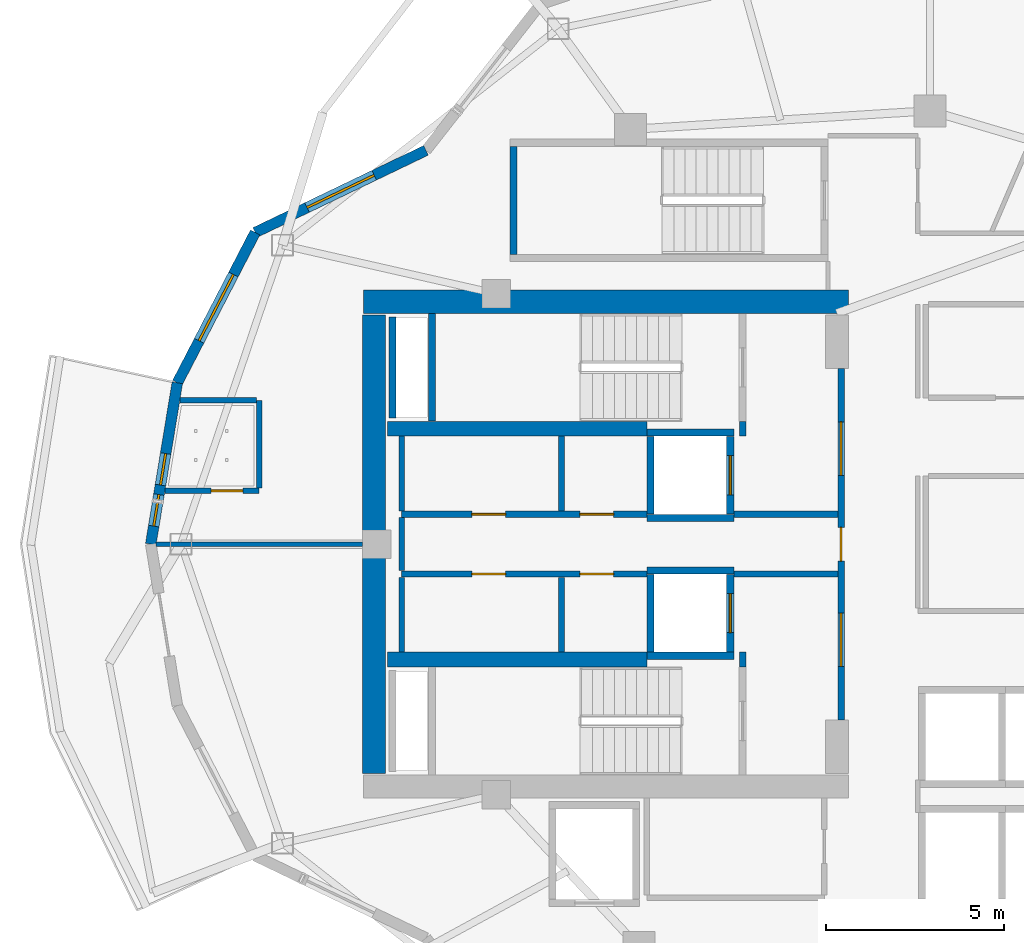
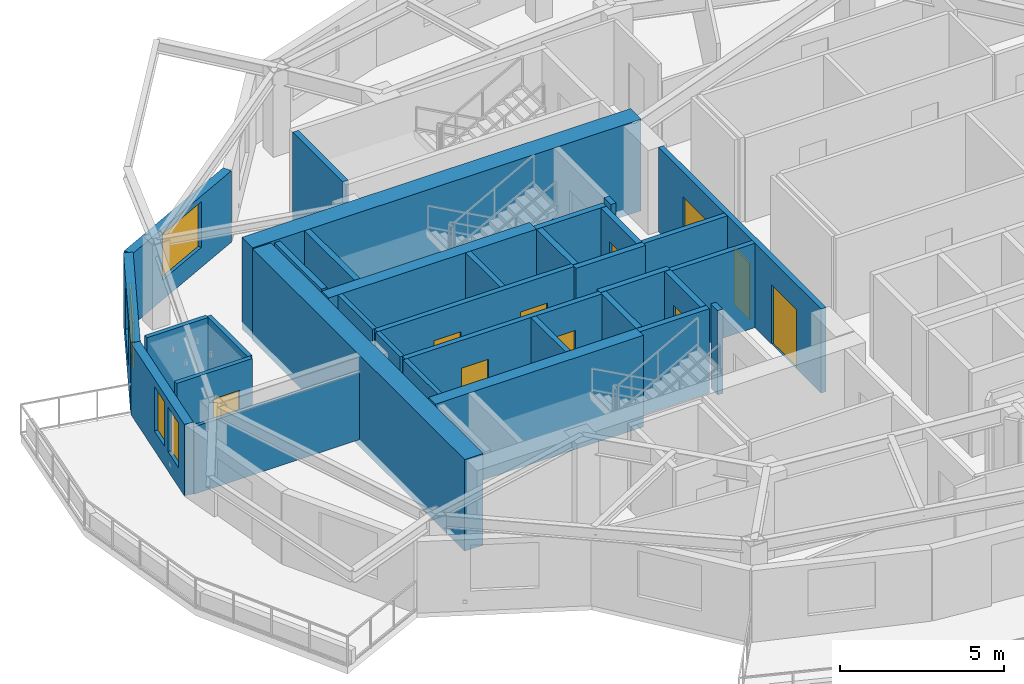
# One storey, part 4 of 13: 34 walls, 10 doors, 4 windows, 14 openings.
"""IFC4 building model written with IfcOpenShell, lengths in metres."""

from ifc_helpers import new_model, si_unit, direction, frame, frame_2d, origin, place, context, subcontext, project, spatial, rectangle, extrude, material, layer, layer_set, type_object, element, fill, save


model = new_model("IFC4")

# Units and contexts
model_context = context("Model", 3, precision=1e-05, world=origin(), true_north=direction((0.0, 1.0)))
body_context = subcontext(model_context, "Body", "Model", "MODEL_VIEW")
ifc_project = project(units=[si_unit("LENGTHUNIT", "METRE"), si_unit("AREAUNIT", "SQUARE_METRE"), si_unit("VOLUMEUNIT", "CUBIC_METRE"), si_unit("PLANEANGLEUNIT", "RADIAN"), si_unit("MASSUNIT", "GRAM", prefix="KILO")], contexts=[model_context])

# Site, building, storey
site_placement = place(None, origin())
site = spatial("IfcSite", under=ifc_project, at=site_placement, CompositionType="ELEMENT")
building_placement = place(site_placement, origin())
building = spatial("IfcBuilding", under=site, at=building_placement, Name="Kolvaren Gate Tower and Convention Centre", CompositionType="ELEMENT")
storey_placement = place(building_placement, frame((0.0, 0.0, 166.5)))
storey = spatial("IfcBuildingStorey", under=building, at=storey_placement, Name="L43", CompositionType="ELEMENT", Elevation=166.5)

# Walls
ifc_material_1 = material(Name="Autoclaved Aerated Masonry Blockwork Class 4 (4.0 MPa)", Category="masonry")
ifc_layer_1 = layer(ifc_material_1, 0.179931640625)
ifc_layer_set_1 = layer_set([ifc_layer_1], Name="Autoclaved Aerated Masonry Blockwork Class 4 (4.0 MPa)")
wall_type_1 = type_object("IfcWallType", Name="ARCH-WL-COMP-180", PredefinedType="SOLIDWALL", material=ifc_layer_set_1)
for number, where, z_axis, x_axis, name in (
    (1, (24.85009765625, 23.5400390625, 0.0), (0.0, 0.0, 1.0), (0.0, 1.0, 0.0), "Interior Partition WL-L43-INT-001"),
    (2, (24.85009765625, 30.0400390625, 0.0), (0.0, 0.0, 1.0), (0.0, 1.0, 0.0), "Interior Partition WL-L43-INT-002"),
):
    element("IfcWall", number, at=place(storey_placement, frame(where, z_axis=z_axis, x_axis=x_axis)), inside=storey, type_object=wall_type_1, Name=name, PredefinedType="SOLIDWALL", context=body_context, shape_type="SweptSolid", body=[
        extrude(rectangle(XDim=0.419921875, YDim=0.179931640625, at=frame_2d((0.2099609375, 0.0))), origin(), (0.0, 0.0, 1.0), 3.1298828125),
    ])

# Wall, openings, doors
wall_1_placement = place(storey_placement, frame((27.6201171875, 22.050048828125, 0.0), z_axis=(0.0, 0.0, 1.0), x_axis=(0.0, 1.0, 0.0)))
wall_1 = element("IfcWall", 3, at=wall_1_placement, inside=storey, type_object=wall_type_1, Name="Interior Partition WL-L43-INT-003", PredefinedType="SOLIDWALL", context=body_context, shape_type="SweptSolid", body=[
    extrude(rectangle(XDim=9.89990234375, YDim=0.179931640625, at=frame_2d((4.949951171875, 0.0))), origin(), (0.0, 0.0, 1.0), 3.1298828125),
])
opening_1_placement = place(wall_1_placement, frame((4.47509765625, 0.0, 0.0)))
opening_1 = element("IfcOpeningElement", 4, at=opening_1_placement, cuts=wall_1, Name="Opening DR-01", PredefinedType="OPENING", context=body_context, shape_type="SweptSolid", body=[
    extrude(rectangle(XDim=0.949951171875, YDim=2.10009765625, at=frame_2d((0.47509765625, 1.050048828125))), frame((0.0, 0.099853515625, 0.0), z_axis=(0.0, -1.0, 0.0), x_axis=(1.0, 0.0, 0.0)), (0.0, 0.0, 1.0), 0.199951171875),
])
opening_2_placement = place(wall_1_placement, frame((6.889892578125, 0.0, 0.0)))
opening_2 = element("IfcOpeningElement", 5, at=opening_2_placement, cuts=wall_1, Name="Opening DL-01", PredefinedType="OPENING", context=body_context, shape_type="SweptSolid", body=[
    extrude(rectangle(XDim=1.5, YDim=2.199951171875, at=frame_2d((0.75, 1.10009765625))), frame((0.0, 0.099853515625, 0.0), z_axis=(0.0, -1.0, 0.0), x_axis=(1.0, 0.0, 0.0)), (0.0, 0.0, 1.0), 0.199951171875),
])
opening_3_placement = place(wall_1_placement, frame((1.510009765625, 0.0, 0.0)))
opening_3 = element("IfcOpeningElement", 6, at=opening_3_placement, cuts=wall_1, Name="Opening DL-01", PredefinedType="OPENING", context=body_context, shape_type="SweptSolid", body=[
    extrude(rectangle(XDim=1.5, YDim=2.199951171875, at=frame_2d((0.75, 1.10009765625))), frame((0.0, 0.099853515625, 0.0), z_axis=(0.0, -1.0, 0.0), x_axis=(1.0, 0.0, 0.0)), (0.0, 0.0, 1.0), 0.199951171875),
])
ifc_material_2 = material(Name="Painted Architectural Steelwork ASTM A500 Grade C 345 MPa", Category="steel")
door_type_1 = type_object("IfcDoorType", Name="ARCH-DR-LOBBY-1500", OperationType="DOUBLE_DOOR_SINGLE_SWING", PredefinedType="DOOR", material=ifc_material_2)
door_1_placement = place(opening_2_placement, origin())
door_1 = element("IfcDoor", 7, at=door_1_placement, inside=storey, type_object=door_type_1, Name="North Firefighting Stair and Lift Lobby Door", OperationType="DOUBLE_DOOR_SINGLE_SWING", OverallHeight=2.199951171875, OverallWidth=1.5, PredefinedType="DOOR", context=body_context, shape_type="SweptSolid", body=[
    extrude(rectangle(XDim=1.5, YDim=2.199951171875, at=frame_2d((0.75, 1.10009765625))), frame((0.0, 0.02490234375, 0.0), z_axis=(0.0, -1.0, 0.0), x_axis=(1.0, 0.0, 0.0)), (0.0, 0.0, 1.0), 0.050048828125),
])
fill(opening_2, door_1)
door_2_placement = place(opening_3_placement, origin())
door_2 = element("IfcDoor", 8, at=door_2_placement, inside=storey, type_object=door_type_1, Name="South Firefighting Stair and Lift Lobby Door", OperationType="DOUBLE_DOOR_SINGLE_SWING", OverallHeight=2.199951171875, OverallWidth=1.5, PredefinedType="DOOR", context=body_context, shape_type="SweptSolid", body=[
    extrude(rectangle(XDim=1.5, YDim=2.199951171875, at=frame_2d((0.75, 1.10009765625))), frame((0.0, 0.02490234375, 0.0), z_axis=(0.0, -1.0, 0.0), x_axis=(1.0, 0.0, 0.0)), (0.0, 0.0, 1.0), 0.050048828125),
])
fill(opening_3, door_2)
door_type_2 = type_object("IfcDoorType", Name="ARCH-DR-RISER-950", OperationType="SINGLE_SWING_RIGHT", PredefinedType="DOOR", material=ifc_material_2)
door_3_placement = place(opening_1_placement, origin())
door_3 = element("IfcDoor", 9, at=door_3_placement, inside=storey, type_object=door_type_2, Name="Central MEP Service Corridor Door", OperationType="SINGLE_SWING_RIGHT", OverallHeight=2.10009765625, OverallWidth=0.949951171875, PredefinedType="DOOR", context=body_context, shape_type="SweptSolid", body=[
    extrude(rectangle(XDim=0.949951171875, YDim=2.10009765625, at=frame_2d((0.47509765625, 1.050048828125))), frame((0.0, 0.02490234375, 0.0), z_axis=(0.0, -1.0, 0.0), x_axis=(1.0, 0.0, 0.0)), (0.0, 0.0, 1.0), 0.050048828125),
])
fill(opening_1, door_3)

wall_2_placement = place(storey_placement, frame((15.25, 27.840087890625, 0.0), z_axis=(0.0, 0.0, 1.0), x_axis=(1.0, 0.0, 0.0)))
wall_2 = element("IfcWall", 10, at=wall_2_placement, inside=storey, type_object=wall_type_1, Name="Interior Partition WL-L43-INT-004", PredefinedType="SOLIDWALL", context=body_context, shape_type="SweptSolid", body=[
    extrude(rectangle(XDim=6.89990234375, YDim=0.179931640625, at=frame_2d((3.449951171875, 0.0))), origin(), (0.0, 0.0, 1.0), 3.1298828125),
])
opening_4_placement = place(wall_2_placement, frame((5.02001953125, 0.0, 0.0)))
opening_4 = element("IfcOpeningElement", 11, at=opening_4_placement, cuts=wall_2, Name="Opening DR-01", PredefinedType="OPENING", context=body_context, shape_type="SweptSolid", body=[
    extrude(rectangle(XDim=0.949951171875, YDim=2.10009765625, at=frame_2d((0.47509765625, 1.050048828125))), frame((0.0, 0.099853515625, 0.0), z_axis=(0.0, -1.0, 0.0), x_axis=(1.0, 0.0, 0.0)), (0.0, 0.0, 1.0), 0.199951171875),
])
opening_5_placement = place(wall_2_placement, frame((1.97998046875, 0.0, 0.0)))
opening_5 = element("IfcOpeningElement", 12, at=opening_5_placement, cuts=wall_2, Name="Opening DR-01", PredefinedType="OPENING", context=body_context, shape_type="SweptSolid", body=[
    extrude(rectangle(XDim=0.949951171875, YDim=2.10009765625, at=frame_2d((0.47509765625, 1.050048828125))), frame((0.0, 0.099853515625, 0.0), z_axis=(0.0, -1.0, 0.0), x_axis=(1.0, 0.0, 0.0)), (0.0, 0.0, 1.0), 0.199951171875),
])
door_4_placement = place(opening_4_placement, origin())
door_4 = element("IfcDoor", 13, at=door_4_placement, inside=storey, type_object=door_type_2, Name="Electrical Switchgear Closet Door", OperationType="SINGLE_SWING_LEFT", OverallHeight=2.10009765625, OverallWidth=0.949951171875, PredefinedType="DOOR", context=body_context, shape_type="SweptSolid", body=[
    extrude(rectangle(XDim=0.949951171875, YDim=2.10009765625, at=frame_2d((0.47509765625, 1.050048828125))), frame((0.0, 0.02490234375, 0.0), z_axis=(0.0, -1.0, 0.0), x_axis=(1.0, 0.0, 0.0)), (0.0, 0.0, 1.0), 0.050048828125),
])
fill(opening_4, door_4)
door_5_placement = place(opening_5_placement, origin())
door_5 = element("IfcDoor", 14, at=door_5_placement, inside=storey, type_object=door_type_2, Name="Staff Powder Washroom Door", OperationType="SINGLE_SWING_LEFT", OverallHeight=2.10009765625, OverallWidth=0.949951171875, PredefinedType="DOOR", context=body_context, shape_type="SweptSolid", body=[
    extrude(rectangle(XDim=0.949951171875, YDim=2.10009765625, at=frame_2d((0.47509765625, 1.050048828125))), frame((0.0, 0.02490234375, 0.0), z_axis=(0.0, -1.0, 0.0), x_axis=(1.0, 0.0, 0.0)), (0.0, 0.0, 1.0), 0.050048828125),
])
fill(opening_5, door_5)

# Wall
wall_3_placement = place(storey_placement, frame((24.60009765625, 27.840087890625, 0.0), z_axis=(0.0, 0.0, 1.0), x_axis=(1.0, 0.0, 0.0)))
element("IfcWall", 15, at=wall_3_placement, inside=storey, type_object=wall_type_1, Name="Interior Partition WL-L43-INT-004 (2)", PredefinedType="SOLIDWALL", context=body_context, shape_type="SweptSolid", body=[
    extrude(rectangle(XDim=2.927978515625, YDim=0.179931640625, at=frame_2d((1.4638671875, 0.0))), origin(), (0.0, 0.0, 1.0), 3.1298828125),
])

# Wall, openings, doors
wall_4_placement = place(storey_placement, frame((15.25, 26.159912109375, 0.0), z_axis=(0.0, 0.0, 1.0), x_axis=(1.0, 0.0, 0.0)))
wall_4 = element("IfcWall", 16, at=wall_4_placement, inside=storey, type_object=wall_type_1, Name="Interior Partition WL-L43-INT-006", PredefinedType="SOLIDWALL", context=body_context, shape_type="SweptSolid", body=[
    extrude(rectangle(XDim=6.89990234375, YDim=0.179931640625, at=frame_2d((3.449951171875, 0.0))), origin(), (0.0, 0.0, 1.0), 3.1298828125),
])
opening_6_placement = place(wall_4_placement, frame((5.02001953125, 0.0, 0.0)))
opening_6 = element("IfcOpeningElement", 17, at=opening_6_placement, cuts=wall_4, Name="Opening DR-01", PredefinedType="OPENING", context=body_context, shape_type="SweptSolid", body=[
    extrude(rectangle(XDim=0.949951171875, YDim=2.10009765625, at=frame_2d((0.47509765625, 1.050048828125))), frame((0.0, 0.099853515625, 0.0), z_axis=(0.0, -1.0, 0.0), x_axis=(1.0, 0.0, 0.0)), (0.0, 0.0, 1.0), 0.199951171875),
])
opening_7_placement = place(wall_4_placement, frame((1.97998046875, 0.0, 0.0)))
opening_7 = element("IfcOpeningElement", 18, at=opening_7_placement, cuts=wall_4, Name="Opening DR-01", PredefinedType="OPENING", context=body_context, shape_type="SweptSolid", body=[
    extrude(rectangle(XDim=0.949951171875, YDim=2.10009765625, at=frame_2d((0.47509765625, 1.050048828125))), frame((0.0, 0.099853515625, 0.0), z_axis=(0.0, -1.0, 0.0), x_axis=(1.0, 0.0, 0.0)), (0.0, 0.0, 1.0), 0.199951171875),
])
door_6_placement = place(opening_6_placement, origin())
door_6 = element("IfcDoor", 19, at=door_6_placement, inside=storey, type_object=door_type_2, Name="Domestic Water Meter Closet Door", OperationType="SINGLE_SWING_RIGHT", OverallHeight=2.10009765625, OverallWidth=0.949951171875, PredefinedType="DOOR", context=body_context, shape_type="SweptSolid", body=[
    extrude(rectangle(XDim=0.949951171875, YDim=2.10009765625, at=frame_2d((0.47509765625, 1.050048828125))), frame((0.0, 0.02490234375, 0.0), z_axis=(0.0, -1.0, 0.0), x_axis=(1.0, 0.0, 0.0)), (0.0, 0.0, 1.0), 0.050048828125),
])
fill(opening_6, door_6)
door_7_placement = place(opening_7_placement, origin())
door_7 = element("IfcDoor", 20, at=door_7_placement, inside=storey, type_object=door_type_2, Name="Janitor Equipment Store Door", OperationType="SINGLE_SWING_RIGHT", OverallHeight=2.10009765625, OverallWidth=0.949951171875, PredefinedType="DOOR", context=body_context, shape_type="SweptSolid", body=[
    extrude(rectangle(XDim=0.949951171875, YDim=2.10009765625, at=frame_2d((0.47509765625, 1.050048828125))), frame((0.0, 0.02490234375, 0.0), z_axis=(0.0, -1.0, 0.0), x_axis=(1.0, 0.0, 0.0)), (0.0, 0.0, 1.0), 0.050048828125),
])
fill(opening_7, door_7)

# Walls
wall_5_placement = place(storey_placement, frame((24.60009765625, 26.159912109375, 0.0), z_axis=(0.0, 0.0, 1.0), x_axis=(1.0, 0.0, 0.0)))
element("IfcWall", 21, at=wall_5_placement, inside=storey, type_object=wall_type_1, Name="Interior Partition WL-L43-INT-006 (2)", PredefinedType="SOLIDWALL", context=body_context, shape_type="SweptSolid", body=[
    extrude(rectangle(XDim=2.927978515625, YDim=0.179931640625, at=frame_2d((1.4638671875, 0.0))), origin(), (0.0, 0.0, 1.0), 3.1298828125),
])
for number, where, z_axis, x_axis, name in (
    (22, (19.75, 23.9619140625, 0.0), (0.0, 0.0, 1.0), (0.0, 1.0, 0.0), "Interior Partition WL-L43-INT-008"),
    (23, (19.75, 27.931884765625, 0.0), (0.0, 0.0, 1.0), (0.0, 1.0, 0.0), "Interior Partition WL-L43-INT-009"),
):
    element("IfcWall", number, at=place(storey_placement, frame(where, z_axis=z_axis, x_axis=x_axis)), inside=storey, type_object=wall_type_1, Name=name, PredefinedType="SOLIDWALL", context=body_context, shape_type="SweptSolid", body=[
        extrude(rectangle(XDim=2.106201171875, YDim=0.179931640625, at=frame_2d((1.05322265625, 0.0))), origin(), (0.0, 0.0, 1.0), 3.1298828125),
    ])
ifc_material_3 = material(Name="Fire-Rated Acoustic Gypsum Stud Partition", Category="gypsum")
ifc_layer_2 = layer(ifc_material_3, 0.1201171875)
ifc_layer_set_2 = layer_set([ifc_layer_2], Name="Fire-Rated Acoustic Gypsum Stud Partition")
wall_type_2 = type_object("IfcWallType", Name="ARCH-WL-PART-120", PredefinedType="PARTITIONING", material=ifc_layer_set_2)
wall_6_placement = place(storey_placement, frame((8.341552734375, 27.0, 0.0), z_axis=(0.0, 0.0, 1.0), x_axis=(1.0, 0.0, 0.0)))
element("IfcWall", 24, at=wall_6_placement, inside=storey, type_object=wall_type_2, Name="Interior Partition WL-L43-INT-048", PredefinedType="PARTITIONING", context=body_context, shape_type="SweptSolid", body=[
    extrude(rectangle(XDim=5.806396484375, YDim=0.1201171875, at=frame_2d((2.9033203125, 0.0))), origin(), (0.0, 0.0, 1.0), 2.5048828125),
])
ifc_layer_3 = layer(ifc_material_1, 0.199951171875)
ifc_layer_set_3 = layer_set([ifc_layer_3], Name="Autoclaved Aerated Masonry Blockwork Class 4 (4.0 MPa)")
wall_type_3 = type_object("IfcWallType", Name="ARCH-WL-SHAFT-200", PredefinedType="SOLIDWALL", material=ifc_layer_set_3)
for number, where, z_axis, x_axis, name in (
    (25, (22.14990234375, 30.139892578125, 0.0), (0.0, 0.0, 1.0), (1.0, 0.0, 0.0), "Elevator FF-01 L43 Fire Shaft Wall N"),
    (26, (22.14990234375, 27.739990234375, 0.0), (0.0, 0.0, 1.0), (1.0, 0.0, 0.0), "Elevator FF-01 L43 Fire Shaft Wall S"),
):
    element("IfcWall", number, at=place(storey_placement, frame(where, z_axis=z_axis, x_axis=x_axis)), inside=storey, type_object=wall_type_3, Name=name, PredefinedType="SOLIDWALL", context=body_context, shape_type="SweptSolid", body=[
        extrude(rectangle(XDim=2.4501953125, YDim=0.199951171875, at=frame_2d((1.22509765625, 0.0))), origin(), (0.0, 0.0, 1.0), 3.1298828125),
    ])
wall_7_placement = place(storey_placement, frame((22.25, 27.85009765625, 0.0), z_axis=(0.0, 0.0, 1.0), x_axis=(0.0, 1.0, 0.0)))
element("IfcWall", 27, at=wall_7_placement, inside=storey, type_object=wall_type_3, Name="Elevator FF-01 L43 Fire Shaft Wall W", PredefinedType="SOLIDWALL", context=body_context, shape_type="SweptSolid", body=[
    extrude(rectangle(XDim=2.179931640625, YDim=0.199951171875, at=frame_2d((1.08984375, 0.0))), origin(), (0.0, 0.0, 1.0), 3.1298828125),
])

# Wall, opening, door
wall_8_placement = place(storey_placement, frame((24.5, 27.85009765625, 0.0), z_axis=(0.0, 0.0, 1.0), x_axis=(0.0, 1.0, 0.0)))
wall_8 = element("IfcWall", 28, at=wall_8_placement, inside=storey, type_object=wall_type_3, Name="Elevator FF-01 L43 Fire Shaft Wall E", PredefinedType="SOLIDWALL", context=body_context, shape_type="SweptSolid", body=[
    extrude(rectangle(XDim=2.179931640625, YDim=0.199951171875, at=frame_2d((1.08984375, 0.0))), origin(), (0.0, 0.0, 1.0), 3.1298828125),
])
opening_8_placement = place(wall_8_placement, frame((0.5400390625, 0.0, 0.0)))
opening_8 = element("IfcOpeningElement", 29, at=opening_8_placement, cuts=wall_8, Name="Opening LD", PredefinedType="OPENING", context=body_context, shape_type="SweptSolid", body=[
    extrude(rectangle(XDim=1.10009765625, YDim=2.199951171875, at=frame_2d((0.550048828125, 1.10009765625))), frame((0.0, 0.10986328125, 0.0), z_axis=(0.0, -1.0, 0.0), x_axis=(1.0, 0.0, 0.0)), (0.0, 0.0, 1.0), 0.219970703125),
])
ifc_material_4 = material(Name="Brushed Stainless Steel Grade 316L", Category="steel")
door_type_3 = type_object("IfcDoorType", Name="ARCH-DR-LIFT-1100", OperationType="SLIDING_TO_LEFT", PredefinedType="DOOR", material=ifc_material_4)
door_8_placement = place(opening_8_placement, origin())
door_8 = element("IfcDoor", 30, at=door_8_placement, inside=storey, type_object=door_type_3, Name="Elevator FF-01 L43 Sliding Landing Door", OperationType="SLIDING_TO_LEFT", OverallHeight=2.199951171875, OverallWidth=1.10009765625, PredefinedType="DOOR", context=body_context, shape_type="SweptSolid", body=[
    extrude(rectangle(XDim=1.10009765625, YDim=2.199951171875, at=frame_2d((0.550048828125, 1.10009765625))), frame((0.0, 0.02490234375, 0.0), z_axis=(0.0, -1.0, 0.0), x_axis=(1.0, 0.0, 0.0)), (0.0, 0.0, 1.0), 0.050048828125),
])
fill(opening_8, door_8)

# Walls
for number, where, z_axis, x_axis, name in (
    (31, (22.14990234375, 26.260009765625, 0.0), (0.0, 0.0, 1.0), (1.0, 0.0, 0.0), "Elevator FF-02 L43 Fire Shaft Wall N"),
    (32, (22.14990234375, 23.860107421875, 0.0), (0.0, 0.0, 1.0), (1.0, 0.0, 0.0), "Elevator FF-02 L43 Fire Shaft Wall S"),
):
    element("IfcWall", number, at=place(storey_placement, frame(where, z_axis=z_axis, x_axis=x_axis)), inside=storey, type_object=wall_type_3, Name=name, PredefinedType="SOLIDWALL", context=body_context, shape_type="SweptSolid", body=[
        extrude(rectangle(XDim=2.4501953125, YDim=0.199951171875, at=frame_2d((1.22509765625, 0.0))), origin(), (0.0, 0.0, 1.0), 3.1298828125),
    ])
wall_9_placement = place(storey_placement, frame((22.25, 23.969970703125, 0.0), z_axis=(0.0, 0.0, 1.0), x_axis=(0.0, 1.0, 0.0)))
element("IfcWall", 33, at=wall_9_placement, inside=storey, type_object=wall_type_3, Name="Elevator FF-02 L43 Fire Shaft Wall W", PredefinedType="SOLIDWALL", context=body_context, shape_type="SweptSolid", body=[
    extrude(rectangle(XDim=2.179931640625, YDim=0.199951171875, at=frame_2d((1.08984375, 0.0))), origin(), (0.0, 0.0, 1.0), 3.1298828125),
])

# Wall, opening, door
wall_10_placement = place(storey_placement, frame((24.5, 23.969970703125, 0.0), z_axis=(0.0, 0.0, 1.0), x_axis=(0.0, 1.0, 0.0)))
wall_10 = element("IfcWall", 34, at=wall_10_placement, inside=storey, type_object=wall_type_3, Name="Elevator FF-02 L43 Fire Shaft Wall E", PredefinedType="SOLIDWALL", context=body_context, shape_type="SweptSolid", body=[
    extrude(rectangle(XDim=2.179931640625, YDim=0.199951171875, at=frame_2d((1.08984375, 0.0))), origin(), (0.0, 0.0, 1.0), 3.1298828125),
])
opening_9_placement = place(wall_10_placement, frame((0.5400390625, 0.0, 0.0)))
opening_9 = element("IfcOpeningElement", 35, at=opening_9_placement, cuts=wall_10, Name="Opening LD", PredefinedType="OPENING", context=body_context, shape_type="SweptSolid", body=[
    extrude(rectangle(XDim=1.10009765625, YDim=2.199951171875, at=frame_2d((0.550048828125, 1.10009765625))), frame((0.0, 0.10986328125, 0.0), z_axis=(0.0, -1.0, 0.0), x_axis=(1.0, 0.0, 0.0)), (0.0, 0.0, 1.0), 0.219970703125),
])
door_9_placement = place(opening_9_placement, origin())
door_9 = element("IfcDoor", 36, at=door_9_placement, inside=storey, type_object=door_type_3, Name="Elevator FF-02 L43 Sliding Landing Door", OperationType="SLIDING_TO_LEFT", OverallHeight=2.199951171875, OverallWidth=1.10009765625, PredefinedType="DOOR", context=body_context, shape_type="SweptSolid", body=[
    extrude(rectangle(XDim=1.10009765625, YDim=2.199951171875, at=frame_2d((0.550048828125, 1.10009765625))), frame((0.0, 0.02490234375, 0.0), z_axis=(0.0, -1.0, 0.0), x_axis=(1.0, 0.0, 0.0)), (0.0, 0.0, 1.0), 0.050048828125),
])
fill(opening_9, door_9)

# Wall
wall_11_placement = place(storey_placement, frame((14.989990234375, 30.550048828125, 0.0), z_axis=(0.0, 0.0, 1.0), x_axis=(0.0, 1.0, 0.0)))
element("IfcWall", 37, at=wall_11_placement, inside=storey, type_object=wall_type_3, Name="Vertical Shaft HVR L43 EI-120 Enclosure Wall W", PredefinedType="SOLIDWALL", context=body_context, shape_type="SweptSolid", body=[
    extrude(rectangle(XDim=2.849853515625, YDim=0.199951171875, at=frame_2d((1.4248046875, 0.0))), origin(), (0.0, 0.0, 1.0), 3.1298828125),
])

# Wall, opening, window
ifc_material_5 = material(Name="Piedmont Cream Honed Limestone Cladding", Category="masonry")
ifc_layer_4 = layer(ifc_material_5, 0.300048828125)
ifc_layer_set_4 = layer_set([ifc_layer_4], Name="Piedmont Cream Honed Limestone Cladding")
wall_type_4 = type_object("IfcWallType", Name="ARCH-WL-STONE-300", PredefinedType="SOLIDWALL", material=ifc_layer_set_4)
wall_12_placement = place(storey_placement, frame((11.126708984375, 35.77490234375, 0.0), z_axis=(0.0, 0.0, 1.0), x_axis=(0.901353070301, 0.433085029363, 0.0)))
wall_12 = element("IfcWall", 38, at=wall_12_placement, inside=storey, type_object=wall_type_4, Name="Tower L43 Honed Stone Spandrel Wall EW-09", PredefinedType="SOLIDWALL", context=body_context, shape_type="SweptSolid", body=[
    extrude(rectangle(XDim=5.336181640625, YDim=0.300048828125, at=frame_2d((2.66796875, 0.0))), origin(), (0.0, 0.0, 1.0), 2.653076171875),
])
opening_10_placement = place(wall_12_placement, frame((1.617919921875, 0.0, 0.739990234375)))
opening_10 = element("IfcOpeningElement", 39, at=opening_10_placement, cuts=wall_12, Name="Opening W-02", PredefinedType="OPENING", context=body_context, shape_type="SweptSolid", body=[
    extrude(rectangle(XDim=2.10009765625, YDim=1.699951171875, at=frame_2d((1.050048828125, 0.85009765625))), frame((0.0, 0.159912109375, 0.0), z_axis=(0.0, -1.0, 0.0), x_axis=(1.0, 0.0, 0.0)), (0.0, 0.0, 1.0), 0.320068359375),
])
ifc_material_6 = material(Name="Low-E Triple Insulated Glazing Unit 44 mm", Category="glass")
window_type_1 = type_object("IfcWindowType", Name="ARCH-WN-HTL-2100", PartitioningType="SINGLE_PANEL", PredefinedType="WINDOW", material=ifc_material_6)
window_1_placement = place(opening_10_placement, origin())
window_1 = element("IfcWindow", 40, at=window_1_placement, inside=storey, type_object=window_type_1, Name="Tower L43 Punched Stone Facade Window W-09", OverallHeight=1.699951171875, OverallWidth=2.10009765625, PartitioningType="SINGLE_PANEL", PredefinedType="WINDOW", context=body_context, shape_type="SweptSolid", body=[
    extrude(rectangle(XDim=2.10009765625, YDim=1.699951171875, at=frame_2d((1.050048828125, 0.85009765625))), frame((0.0, 0.030029296875, 0.0), z_axis=(0.0, -1.0, 0.0), x_axis=(1.0, 0.0, 0.0)), (0.0, 0.0, 1.0), 0.06005859375),
])
fill(opening_10, window_1)

wall_13_placement = place(storey_placement, frame((8.93505859375, 31.542236328125, 0.0), z_axis=(0.0, 0.0, 1.0), x_axis=(0.459810251451, 0.888017191647, 0.0)))
wall_13 = element("IfcWall", 41, at=wall_13_placement, inside=storey, type_object=wall_type_4, Name="Tower L43 Honed Stone Spandrel Wall EW-10", PredefinedType="SOLIDWALL", context=body_context, shape_type="SweptSolid", body=[
    extrude(rectangle(XDim=4.766357421875, YDim=0.300048828125, at=frame_2d((2.38330078125, 0.0))), origin(), (0.0, 0.0, 1.0), 2.653076171875),
])
opening_11_placement = place(wall_13_placement, frame((1.3330078125, 0.0, 0.739990234375)))
opening_11 = element("IfcOpeningElement", 42, at=opening_11_placement, cuts=wall_13, Name="Opening W-02", PredefinedType="OPENING", context=body_context, shape_type="SweptSolid", body=[
    extrude(rectangle(XDim=2.10009765625, YDim=1.699951171875, at=frame_2d((1.050048828125, 0.85009765625))), frame((0.0, 0.159912109375, 0.0), z_axis=(0.0, -1.0, 0.0), x_axis=(1.0, 0.0, 0.0)), (0.0, 0.0, 1.0), 0.320068359375),
])
window_2_placement = place(opening_11_placement, origin())
window_2 = element("IfcWindow", 43, at=window_2_placement, inside=storey, type_object=window_type_1, Name="Tower L43 Punched Stone Facade Window W-10", OverallHeight=1.699951171875, OverallWidth=2.10009765625, PartitioningType="SINGLE_PANEL", PredefinedType="WINDOW", context=body_context, shape_type="SweptSolid", body=[
    extrude(rectangle(XDim=2.10009765625, YDim=1.699951171875, at=frame_2d((1.050048828125, 0.85009765625))), frame((0.0, 0.030029296875, 0.0), z_axis=(0.0, -1.0, 0.0), x_axis=(1.0, 0.0, 0.0)), (0.0, 0.0, 1.0), 0.06005859375),
])
fill(opening_11, window_2)

# Wall, openings, windows
wall_14_placement = place(storey_placement, frame((8.1875, 27.0, 0.0), z_axis=(0.0, 0.0, 1.0), x_axis=(0.162394765401, 0.986725868806, 0.0)))
wall_14 = element("IfcWall", 44, at=wall_14_placement, inside=storey, type_object=wall_type_4, Name="Tower L43 Honed Stone Spandrel Wall EW-11", PredefinedType="SOLIDWALL", context=body_context, shape_type="SweptSolid", body=[
    extrude(rectangle(XDim=4.603271484375, YDim=0.300048828125, at=frame_2d((2.3017578125, 0.0))), origin(), (0.0, 0.0, 1.0), 2.653076171875),
])
opening_12_placement = place(wall_14_placement, frame((0.51513671875, 0.0, 0.719970703125)))
opening_12 = element("IfcOpeningElement", 45, at=opening_12_placement, cuts=wall_14, Name="Opening W-06", PredefinedType="OPENING", context=body_context, shape_type="SweptSolid", body=[
    extrude(rectangle(XDim=0.89990234375, YDim=1.64990234375, at=frame_2d((0.449951171875, 0.824951171875))), frame((0.0, 0.159912109375, 0.0), z_axis=(0.0, -1.0, 0.0), x_axis=(1.0, 0.0, 0.0)), (0.0, 0.0, 1.0), 0.320068359375),
])
opening_13_placement = place(wall_14_placement, frame((1.685546875, 0.0, 0.719970703125)))
opening_13 = element("IfcOpeningElement", 46, at=opening_13_placement, cuts=wall_14, Name="Opening W-06", PredefinedType="OPENING", context=body_context, shape_type="SweptSolid", body=[
    extrude(rectangle(XDim=0.89990234375, YDim=1.64990234375, at=frame_2d((0.449951171875, 0.824951171875))), frame((0.0, 0.159912109375, 0.0), z_axis=(0.0, -1.0, 0.0), x_axis=(1.0, 0.0, 0.0)), (0.0, 0.0, 1.0), 0.320068359375),
])
window_type_2 = type_object("IfcWindowType", Name="ARCH-WN-PUNCH-900", PartitioningType="SINGLE_PANEL", PredefinedType="WINDOW", material=ifc_material_6)
window_3_placement = place(opening_12_placement, origin())
window_3 = element("IfcWindow", 47, at=window_3_placement, inside=storey, type_object=window_type_2, Name="Tower L43 Punched Stone Facade Window W-11", OverallHeight=1.64990234375, OverallWidth=0.89990234375, PartitioningType="SINGLE_PANEL", PredefinedType="WINDOW", context=body_context, shape_type="SweptSolid", body=[
    extrude(rectangle(XDim=0.89990234375, YDim=1.64990234375, at=frame_2d((0.449951171875, 0.824951171875))), frame((0.0, 0.030029296875, 0.0), z_axis=(0.0, -1.0, 0.0), x_axis=(1.0, 0.0, 0.0)), (0.0, 0.0, 1.0), 0.06005859375),
])
fill(opening_12, window_3)
window_4_placement = place(opening_13_placement, origin())
window_4 = element("IfcWindow", 48, at=window_4_placement, inside=storey, type_object=window_type_2, Name="Tower L43 Punched Stone Facade Window W-11B", OverallHeight=1.64990234375, OverallWidth=0.89990234375, PartitioningType="SINGLE_PANEL", PredefinedType="WINDOW", context=body_context, shape_type="SweptSolid", body=[
    extrude(rectangle(XDim=0.89990234375, YDim=1.64990234375, at=frame_2d((0.449951171875, 0.824951171875))), frame((0.0, 0.030029296875, 0.0), z_axis=(0.0, -1.0, 0.0), x_axis=(1.0, 0.0, 0.0)), (0.0, 0.0, 1.0), 0.06005859375),
])
fill(opening_13, window_4)

# Walls
ifc_material_7 = material(Name="Moisture-Resistant Cement-Board Acoustic Partition", Category="gypsum")
ifc_layer_5 = layer(ifc_material_7, 0.14990234375)
ifc_layer_set_5 = layer_set([ifc_layer_5], Name="Moisture-Resistant Cement-Board Acoustic Partition")
wall_type_5 = type_object("IfcWallType", Name="ARCH-WL-WET-150", PredefinedType="PARTITIONING", material=ifc_layer_set_5)
wall_15_placement = place(storey_placement, frame((15.25, 23.9619140625, 0.0), z_axis=(0.0, 0.0, 1.0), x_axis=(0.0, 1.0, 0.0)))
element("IfcWall", 49, at=wall_15_placement, inside=storey, type_object=wall_type_5, Name="Interior Partition WL-L43-INT-007", PredefinedType="PARTITIONING", context=body_context, shape_type="SweptSolid", body=[
    extrude(rectangle(XDim=2.106201171875, YDim=0.14990234375, at=frame_2d((1.05322265625, 0.0))), origin(), (0.0, 0.0, 1.0), 3.1298828125),
])
wall_16_placement = place(storey_placement, frame((15.25, 26.251953125, 0.0), z_axis=(0.0, 0.0, 1.0), x_axis=(0.0, 1.0, 0.0)))
element("IfcWall", 50, at=wall_16_placement, inside=storey, type_object=wall_type_5, Name="Interior Partition WL-L43-INT-007 (2)", PredefinedType="PARTITIONING", context=body_context, shape_type="SweptSolid", body=[
    extrude(rectangle(XDim=1.49609375, YDim=0.14990234375, at=frame_2d((0.748046875, 0.0))), origin(), (0.0, 0.0, 1.0), 3.1298828125),
])
wall_17_placement = place(storey_placement, frame((15.25, 27.931884765625, 0.0), z_axis=(0.0, 0.0, 1.0), x_axis=(0.0, 1.0, 0.0)))
element("IfcWall", 51, at=wall_17_placement, inside=storey, type_object=wall_type_5, Name="Interior Partition WL-L43-INT-007 (3)", PredefinedType="PARTITIONING", context=body_context, shape_type="SweptSolid", body=[
    extrude(rectangle(XDim=2.106201171875, YDim=0.14990234375, at=frame_2d((1.05322265625, 0.0))), origin(), (0.0, 0.0, 1.0), 3.1298828125),
])

# Wall, opening, door
wall_18_placement = place(storey_placement, frame((8.58837890625, 28.5, 0.0), z_axis=(0.0, 0.0, 1.0), x_axis=(1.0, 0.0, 0.0)))
wall_18 = element("IfcWall", 52, at=wall_18_placement, inside=storey, type_object=wall_type_5, Name="Interior Partition WL-L43-INT-074", PredefinedType="PARTITIONING", context=body_context, shape_type="SweptSolid", body=[
    extrude(rectangle(XDim=2.650634765625, YDim=0.14990234375, at=frame_2d((1.3251953125, 0.0))), origin(), (0.0, 0.0, 1.0), 3.1298828125),
])
opening_14_placement = place(wall_18_placement, frame((1.29541015625, 0.0, 0.0)))
opening_14 = element("IfcOpeningElement", 53, at=opening_14_placement, cuts=wall_18, Name="Opening DW-01", PredefinedType="OPENING", context=body_context, shape_type="SweptSolid", body=[
    extrude(rectangle(XDim=0.89990234375, YDim=2.10009765625, at=frame_2d((0.449951171875, 1.050048828125))), frame((0.0, 0.0849609375, 0.0), z_axis=(0.0, -1.0, 0.0), x_axis=(1.0, 0.0, 0.0)), (0.0, 0.0, 1.0), 0.169921875),
])
ifc_material_8 = material(Name="FSC Andean Oak Engineered Veneer Door Leaf", Category="wood")
door_type_4 = type_object("IfcDoorType", Name="ARCH-DR-WC-900", OperationType="SINGLE_SWING_RIGHT", PredefinedType="DOOR", material=ifc_material_8)
door_10_placement = place(opening_14_placement, origin())
door_10 = element("IfcDoor", 54, at=door_10_placement, inside=storey, type_object=door_type_4, Name="En-suite Bathroom (HTL-L43-14) Door", OperationType="SINGLE_SWING_RIGHT", OverallHeight=2.10009765625, OverallWidth=0.89990234375, PredefinedType="DOOR", context=body_context, shape_type="SweptSolid", body=[
    extrude(rectangle(XDim=0.89990234375, YDim=2.10009765625, at=frame_2d((0.449951171875, 1.050048828125))), frame((0.0, 0.02490234375, 0.0), z_axis=(0.0, -1.0, 0.0), x_axis=(1.0, 0.0, 0.0)), (0.0, 0.0, 1.0), 0.050048828125),
])
fill(opening_14, door_10)

# Walls
wall_19_placement = place(storey_placement, frame((11.239013671875, 28.576904296875, 0.0), z_axis=(0.0, 0.0, 1.0), x_axis=(0.0, 1.0, 0.0)))
element("IfcWall", 55, at=wall_19_placement, inside=storey, type_object=wall_type_5, Name="Interior Partition WL-L43-INT-075", PredefinedType="PARTITIONING", context=body_context, shape_type="SweptSolid", body=[
    extrude(rectangle(XDim=2.47314453125, YDim=0.14990234375, at=frame_2d((1.236572265625, 0.0))), origin(), (0.0, 0.0, 1.0), 3.1298828125),
])
wall_20_placement = place(storey_placement, frame((9.008056640625, 31.050048828125, 0.0), z_axis=(0.0, 0.0, 1.0), x_axis=(1.0, 0.0, 0.0)))
element("IfcWall", 56, at=wall_20_placement, inside=storey, type_object=wall_type_5, Name="Interior Partition WL-L43-INT-076", PredefinedType="PARTITIONING", context=body_context, shape_type="SweptSolid", body=[
    extrude(rectangle(XDim=2.154052734375, YDim=0.14990234375, at=frame_2d((1.0771484375, 0.0))), origin(), (0.0, 0.0, 1.0), 3.1298828125),
])
ifc_material_9 = material(Name="Concrete C50/60", Category="concrete")
ifc_layer_6 = layer(ifc_material_9, 0.419921875)
ifc_layer_set_6 = layer_set([ifc_layer_6], Name="Concrete C50/60")
wall_type_6 = type_object("IfcWallType", Name="STR-WL-CONV-420", PredefinedType="SHEAR", material=ifc_layer_set_6)
for number, where, z_axis, x_axis, name in (
    (57, (14.85009765625, 30.25, -0.27001953125), (0.0, 0.0, 1.0), (1.0, 0.0, 0.0), "Tower L43 Offset Core Shear Wall WN"),
    (58, (14.85009765625, 23.75, -0.27001953125), (0.0, 0.0, 1.0), (1.0, 0.0, 0.0), "Tower L43 Offset Core Shear Wall WS"),
):
    element("IfcWall", number, at=place(storey_placement, frame(where, z_axis=z_axis, x_axis=x_axis)), inside=storey, type_object=wall_type_6, Name=name, PredefinedType="SHEAR", context=body_context, shape_type="SweptSolid", body=[
        extrude(rectangle(XDim=7.2998046875, YDim=0.419921875, at=frame_2d((3.64990234375, 0.0))), origin(), (0.0, 0.0, 1.0), 3.39990234375),
    ])
ifc_material_10 = material(Name="Concrete C60/75", Category="concrete")
ifc_layer_7 = layer(ifc_material_10, 0.64990234375)
ifc_layer_set_7 = layer_set([ifc_layer_7], Name="Concrete C60/75")
wall_type_7 = type_object("IfcWallType", Name="STR-WL-CORE-650", PredefinedType="SHEAR", material=ifc_layer_set_7)
wall_21_placement = place(storey_placement, frame((14.175048828125, 33.824951171875, -0.27001953125), z_axis=(0.0, 0.0, 1.0), x_axis=(1.0, 0.0, 0.0)))
element("IfcWall", 59, at=wall_21_placement, inside=storey, type_object=wall_type_7, Name="Tower L43 Offset Core Shear Wall N", PredefinedType="SHEAR", context=body_context, shape_type="SweptSolid", body=[
    extrude(rectangle(XDim=13.64990234375, YDim=0.64990234375, at=frame_2d((6.824951171875, 0.0))), origin(), (0.0, 0.0, 1.0), 3.39990234375),
])
wall_22_placement = place(storey_placement, frame((14.47509765625, 20.550048828125, -0.27001953125), z_axis=(0.0, 0.0, 1.0), x_axis=(0.0, 1.0, 0.0)))
element("IfcWall", 60, at=wall_22_placement, inside=storey, type_object=wall_type_7, Name="Tower L43 Offset Core Shear Wall W", PredefinedType="SHEAR", context=body_context, shape_type="SweptSolid", body=[
    extrude(rectangle(XDim=12.89990234375, YDim=0.64990234375, at=frame_2d((6.449951171875, 0.0))), origin(), (0.0, 0.0, 1.0), 3.39990234375),
])
ifc_layer_8 = layer(ifc_material_9, 0.199951171875)
ifc_layer_set_8 = layer_set([ifc_layer_8], Name="Concrete C50/60")
wall_type_8 = type_object("IfcWallType", Name="STR-WL-SHAFT-200", PredefinedType="SHEAR", material=ifc_layer_set_8)
wall_23_placement = place(storey_placement, frame((16.10009765625, 30.4619140625, -0.27001953125), z_axis=(0.0, 0.0, 1.0), x_axis=(0.0, 1.0, 0.0)))
element("IfcWall", 61, at=wall_23_placement, inside=storey, type_object=wall_type_8, Name="Tower North Exit Stair ST-T1 L43 Structural Shear Enclosure Wall FAR", PredefinedType="SHEAR", context=body_context, shape_type="SweptSolid", body=[
    extrude(rectangle(XDim=3.0361328125, YDim=0.199951171875, at=frame_2d((1.51806640625, 0.0))), origin(), (0.0, 0.0, 1.0), 3.39990234375),
])
wall_24_placement = place(storey_placement, frame((18.39990234375, 35.159912109375, -0.27001953125), z_axis=(0.0, 0.0, 1.0), x_axis=(0.0, 1.0, 0.0)))
element("IfcWall", 62, at=wall_24_placement, inside=storey, type_object=wall_type_8, Name="Tower Mid-Zone Exit Stair ST-T3 L43 Structural Shear Enclosure Wall FAR", PredefinedType="SHEAR", context=body_context, shape_type="SweptSolid", body=[
    extrude(rectangle(XDim=3.0400390625, YDim=0.199951171875, at=frame_2d((1.52001953125, 0.0))), origin(), (0.0, 0.0, 1.0), 3.39990234375),
])

save(model, "model.ifc")
